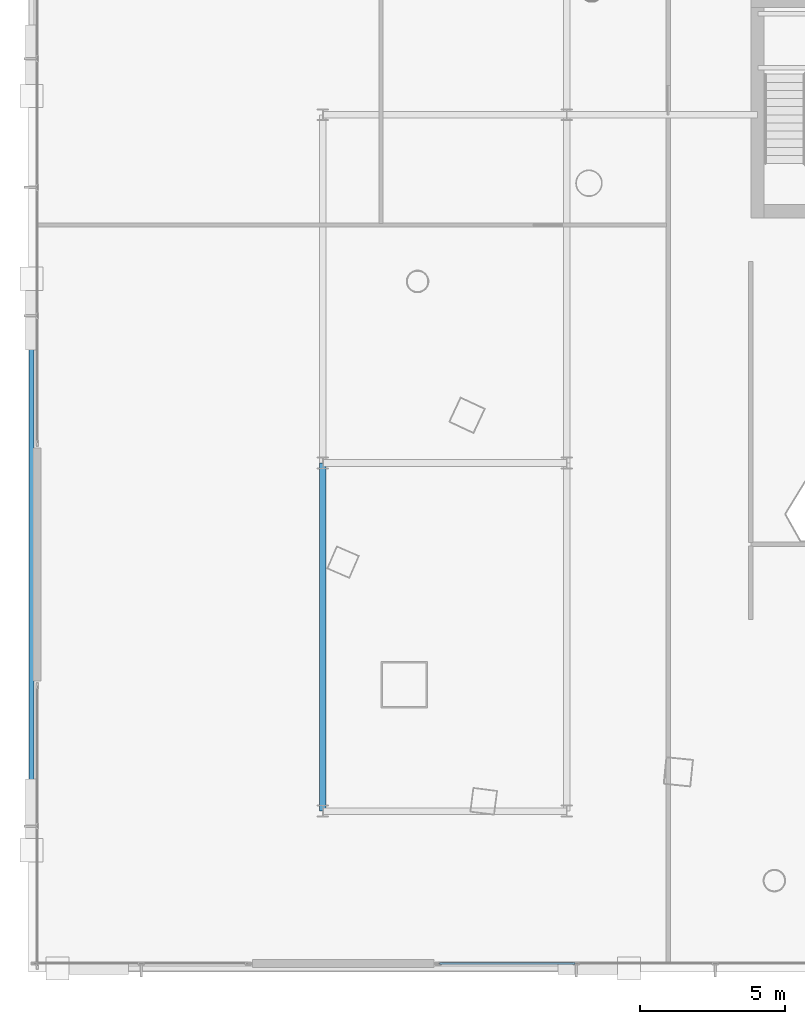
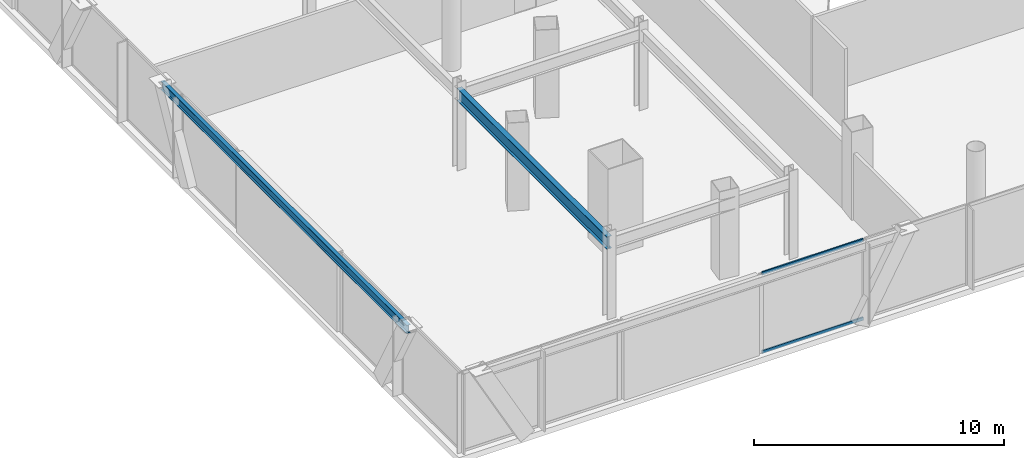
# One storey, part 6 of 46: 2 beams, 2 members, 1 element without a shape of its own.
"""IFC4 building model written with IfcOpenShell, lengths in metres."""

from ifc_helpers import new_model, si_unit, direction, frame, origin, origin_2d, place, context, subcontext, project, spatial, hollow_rectangle, i_section, extrude, material, layer, layer_set, material_profile, profile_set, type_object, element, aggregate, save


model = new_model("IFC4")

# Units and contexts
model_context = context("Model", 3, precision=1e-05, world=origin(), true_north=direction((0.0, 1.0)))
body_context = subcontext(model_context, "Body", "Model", "MODEL_VIEW")
ifc_project = project(units=[si_unit("LENGTHUNIT", "METRE"), si_unit("AREAUNIT", "SQUARE_METRE"), si_unit("VOLUMEUNIT", "CUBIC_METRE"), si_unit("PLANEANGLEUNIT", "RADIAN"), si_unit("MASSUNIT", "GRAM", prefix="KILO")], contexts=[model_context])

# Site, building, storey
site_placement = place(None, origin())
site = spatial("IfcSite", under=ifc_project, at=site_placement, CompositionType="ELEMENT")
building_placement = place(site_placement, origin())
building = spatial("IfcBuilding", under=site, at=building_placement, Name="Orvanel Arch Residences", CompositionType="ELEMENT")
storey_placement = place(building_placement, frame((0.0, 0.0, 14.10009765625)))
storey = spatial("IfcBuildingStorey", under=building, at=storey_placement, Name="L03", CompositionType="ELEMENT", Elevation=14.10009765625)

# Beams
ifc_material_1 = material(Name="Structural steel AS/NZS 3679.1 Grade 300 (300 MPa)", Category="steel")
ifc_material_profile_1 = material_profile(ifc_material_1, i_section(OverallWidth=0.22900390625, OverallDepth=0.612060546875, WebThickness=0.011962890625, FlangeThickness=0.01953125, at=origin_2d()), Name="610UB125")
ifc_profile_set_1 = profile_set([ifc_material_profile_1], Name="Structural steel AS/NZS 3679.1 Grade 300 (300 MPa)")
beam_type_1 = type_object("IfcBeamType", Name="BG-610UB", PredefinedType="BEAM", material=ifc_profile_set_1)
beam_1_placement = place(storey_placement, frame((11.39990234375, 6.0, 3.593994140625), z_axis=(0.0, 1.0, 0.0), x_axis=(-1.0, 0.0, 0.0)))
element("IfcBeam", 1, at=beam_1_placement, inside=storey, type_object=beam_type_1, Name="L03 North-South Podium Girder XW11-S", PredefinedType="BEAM", context=body_context, shape_type="SweptSolid", body=[
    extrude(i_section(OverallWidth=0.22900390625, OverallDepth=0.612060546875, WebThickness=0.011962890625, FlangeThickness=0.01953125, at=origin_2d()), origin(), (0.0, 0.0, 1.0), 12.0),
])
ifc_material_profile_2 = material_profile(ifc_material_1, i_section(OverallWidth=0.177978515625, OverallDepth=0.406005859375, WebThickness=0.0078125, FlangeThickness=0.0126953125, at=origin_2d()), Name="410UB59.7")
ifc_profile_set_2 = profile_set([ifc_material_profile_2], Name="Structural steel AS/NZS 3679.1 Grade 300 (300 MPa)")
beam_type_2 = type_object("IfcBeamType", Name="OB-410UB-EXT", PredefinedType="SPANDREL", material=ifc_profile_set_2)
beam_2_placement = place(storey_placement, frame((1.360107421875, 4.64990234375, 3.697021484375), z_axis=(0.0, 1.0, 0.0), x_axis=(-1.0, 0.0, 0.0)))
element("IfcBeam", 2, at=beam_2_placement, inside=storey, type_object=beam_type_2, Name="L03 Podium V-Frame Collector Spandrel Beam W1", PredefinedType="SPANDREL", context=body_context, shape_type="SweptSolid", body=[
    extrude(i_section(OverallWidth=0.177978515625, OverallDepth=0.406005859375, WebThickness=0.0078125, FlangeThickness=0.0126953125, at=origin_2d()), origin(), (0.0, 0.0, 1.0), 19.7001953125),
])

# Curtain wall, members
ifc_material_2 = material(Name="Bronze-anodised aluminium AA6063-T6", Category="aluminium")
ifc_layer = layer(ifc_material_2, 0.199951171875)
ifc_layer_set = layer_set([ifc_layer], Name="Bronze-anodised aluminium AA6063-T6")
curtain_wall_type = type_object("IfcCurtainWallType", Name="CW1-POD-SYS", PredefinedType="NOTDEFINED", material=ifc_layer_set)
curtain_wall_placement = place(storey_placement, origin())
curtain_wall = element("IfcCurtainWall", 3, at=curtain_wall_placement, inside=storey, type_object=curtain_wall_type, Name="L03 CW1-POD-SYS Unitised Curtain Wall", PredefinedType="NOTDEFINED")
ifc_material_profile_3 = material_profile(ifc_material_2, hollow_rectangle(XDim=0.06494140625, YDim=0.14990234375, WallThickness=0.00390625, at=origin_2d()), Name="ALU150x65x4")
ifc_profile_set_3 = profile_set([ifc_material_profile_3], Name="Bronze-anodised aluminium AA6063-T6")
member_type = type_object("IfcMemberType", Name="TRN-150x65", PredefinedType="USERDEFINED", material=ifc_profile_set_3)
member_1_placement = place(storey_placement, frame((15.4150390625, 0.75, 0.032470703125), z_axis=(1.0, 0.0, 0.0), x_axis=(0.0, 1.0, 0.0)))
member_1 = element("IfcMember", 4, at=member_1_placement, type_object=member_type, Name="CW-S1 transom 1.1", ObjectType="TRANSOM", PredefinedType="USERDEFINED", context=body_context, shape_type="SweptSolid", body=[
    extrude(hollow_rectangle(XDim=0.06494140625, YDim=0.14990234375, WallThickness=0.00390625, at=origin_2d()), origin(), (0.0, 0.0, 1.0), 4.676025390625),
])
member_2_placement = place(storey_placement, frame((15.4150390625, 0.75, 3.867431640625), z_axis=(1.0, 0.0, 0.0), x_axis=(0.0, 1.0, 0.0)))
member_2 = element("IfcMember", 5, at=member_2_placement, type_object=member_type, Name="CW-S1 transom 1.2", ObjectType="TRANSOM", PredefinedType="USERDEFINED", context=body_context, shape_type="SweptSolid", body=[
    extrude(hollow_rectangle(XDim=0.06494140625, YDim=0.14990234375, WallThickness=0.00390625, at=origin_2d()), origin(), (0.0, 0.0, 1.0), 4.676025390625),
])
aggregate(curtain_wall, [member_1, member_2])

save(model, "model.ifc")
